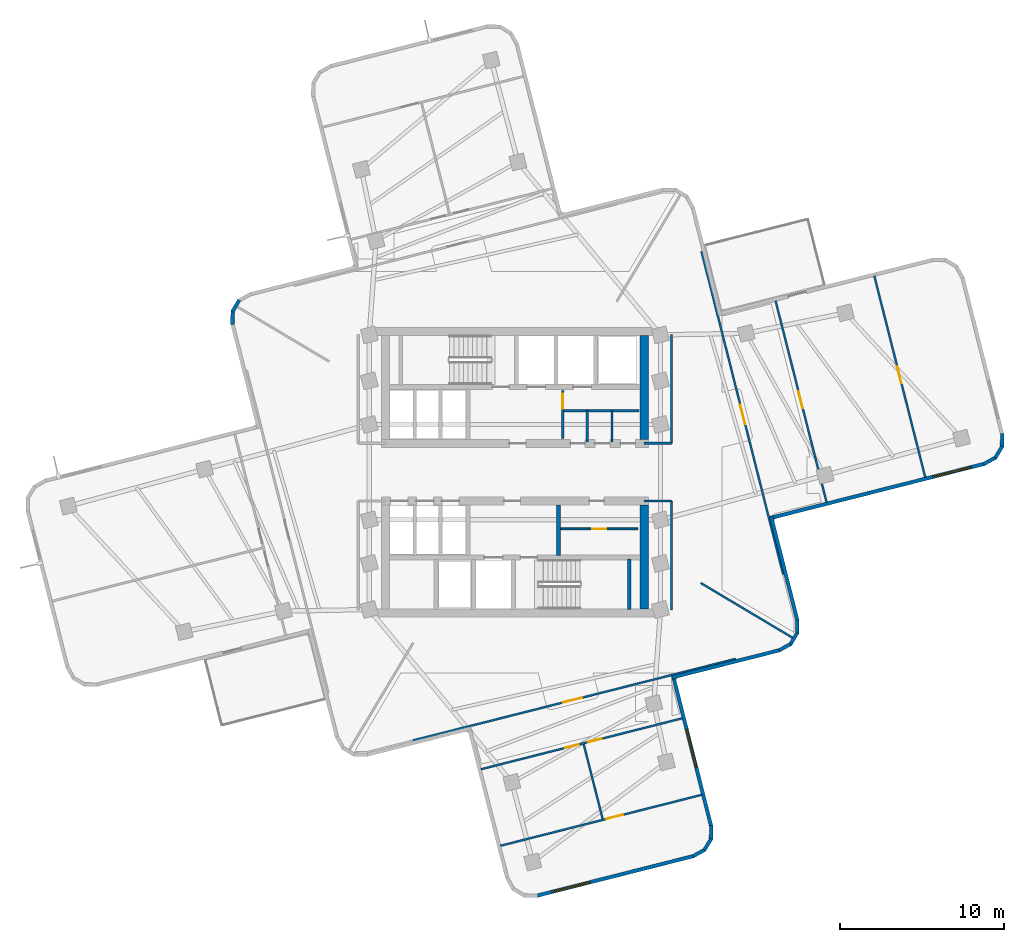
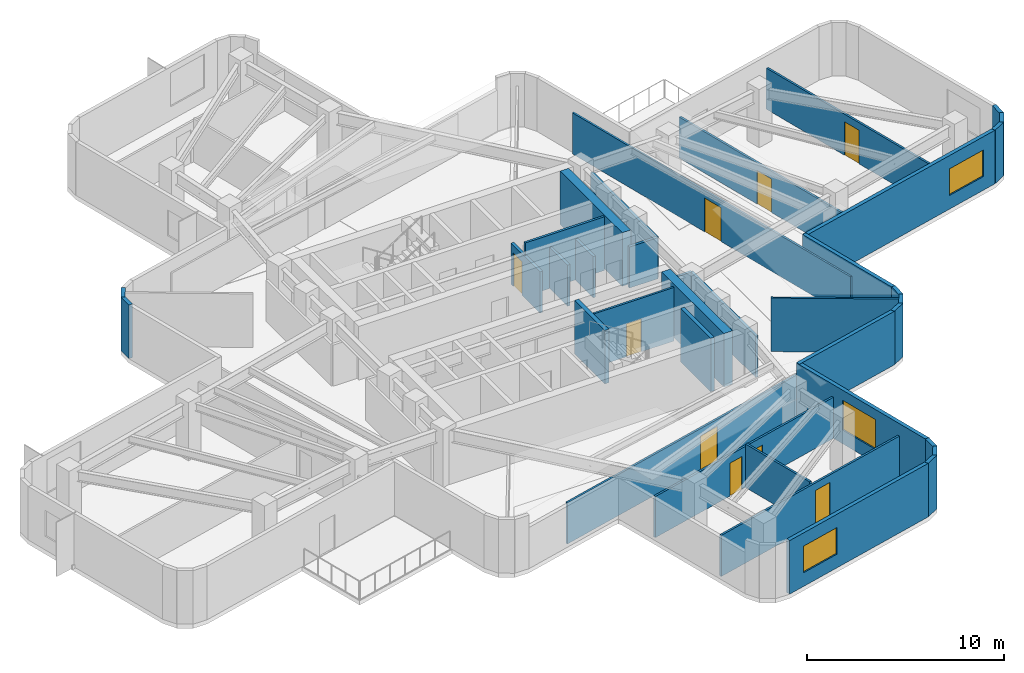
# One storey, part 4 of 9: 37 walls, 9 doors, 3 windows, 12 openings.
"""IFC4 building model written with IfcOpenShell, lengths in metres."""

import ifcopenshell
import ifcopenshell.guid

model = None  # the IFC model being written
_history = None  # IfcOwnerHistory: only IFC2X3 demands one
_inside = {}  # id of a spatial element -> (the spatial element, [elements in it])
_under = {}  # id of a project, library or spatial element -> (it, [spatial elements below it])
_declared = {}  # id of a project -> (the project, [libraries it declares])
_typed = {}  # id of a type object -> (the type object, [elements of that type])
_made_of = {}  # id of a material, layer set ... -> (it, [elements and type objects made of it])


def new_model(schema):
    """Start an empty IFC model of exactly this schema.

    Asked for "IFC4X3", IfcOpenShell would pick the latest addendum, in which some entities
    have other attributes; the version numbers below select the first issue.
    IFC2X3 requires an IfcOwnerHistory on every rooted entity: one is made here for all.
    """
    global model, _history
    if schema == "IFC4X3":
        model = ifcopenshell.file(schema_version=(4, 3, 0, 0))
    else:
        model = ifcopenshell.file(schema=schema)
    _inside.clear()
    _under.clear()
    _declared.clear()
    _typed.clear()
    _made_of.clear()
    _history = None
    if model.schema == "IFC2X3":
        org = make("IfcOrganization", Name="unknown")
        user = make(
            "IfcPersonAndOrganization",
            ThePerson=make("IfcPerson", FamilyName="unknown"),
            TheOrganization=org,
        )
        app = make(
            "IfcApplication",
            ApplicationDeveloper=org,
            Version="unknown",
            ApplicationFullName="unknown",
            ApplicationIdentifier="unknown",
        )
        _history = make(
            "IfcOwnerHistory",
            OwningUser=user,
            OwningApplication=app,
            ChangeAction="ADDED",
            CreationDate=0,
        )
    return model


def make(cls, **values):
    """One entity of the class cls with the attributes given. An attribute that is None is left unset."""
    return model.create_entity(
        cls, **{name: value for name, value in values.items() if value is not None}
    )


def rooted(cls, **values):
    """An entity with a GlobalId (a new one), such as an element, a storey or a relation."""
    return make(cls, GlobalId=ifcopenshell.guid.new(), OwnerHistory=_history, **values)


def si_unit(unit_type, name, prefix=None):
    """IfcSIUnit, for example si_unit("LENGTHUNIT", "METRE", prefix="MILLI")."""
    return make("IfcSIUnit", UnitType=unit_type, Prefix=prefix, Name=name)


def assignment(units):
    """IfcUnitAssignment: the units of a project."""
    return None if units is None else make("IfcUnitAssignment", Units=units)


def point(xyz):
    """IfcCartesianPoint."""
    return None if xyz is None else make("IfcCartesianPoint", Coordinates=xyz)


def direction(xyz):
    """IfcDirection."""
    return None if xyz is None else make("IfcDirection", DirectionRatios=xyz)


def frame(location, z_axis=None, x_axis=None):
    """IfcAxis2Placement3D, a coordinate frame: its origin and axes. An axis left out is left unset."""
    return make(
        "IfcAxis2Placement3D",
        Location=point(location),
        Axis=direction(z_axis),
        RefDirection=direction(x_axis),
    )


def frame_2d(location, x_axis=None):
    """IfcAxis2Placement2D, a coordinate frame in the plane: its origin and x axis."""
    return make(
        "IfcAxis2Placement2D", Location=point(location), RefDirection=direction(x_axis)
    )


def origin():
    """The frame at (0, 0, 0) with its axes left unset."""
    return frame((0.0, 0.0, 0.0))


def place(relative_to, where):
    """IfcLocalPlacement: puts the frame where relative to a parent placement (None: the world)."""
    return make(
        "IfcLocalPlacement", PlacementRelTo=relative_to, RelativePlacement=where
    )


def context(
    kind, dimensions, precision=None, world=None, true_north=None, identifier=None
):
    """IfcGeometricRepresentationContext, for example the 3D "Model" context."""
    return make(
        "IfcGeometricRepresentationContext",
        ContextIdentifier=identifier,
        ContextType=kind,
        CoordinateSpaceDimension=dimensions,
        Precision=precision,
        WorldCoordinateSystem=world,
        TrueNorth=true_north,
    )


def subcontext(parent, identifier, kind, view, scale=None):
    """IfcGeometricRepresentationSubContext, for example "Body" below "Model"."""
    return make(
        "IfcGeometricRepresentationSubContext",
        ContextIdentifier=identifier,
        ContextType=kind,
        ParentContext=parent,
        TargetScale=scale,
        TargetView=view,
    )


def project(units=None, contexts=None):
    """IfcProject with its units and contexts."""
    return rooted(
        "IfcProject",
        Name="project",
        RepresentationContexts=contexts,
        UnitsInContext=assignment(units),
    )


def spatial(cls, under=None, at=None, **own):
    """A site, building, storey or space (cls), placed at a placement, below another one or the project."""
    s = rooted(cls, ObjectPlacement=at, **own)
    if under is not None:
        _under.setdefault(under.id(), (under, []))[1].append(s)
    return s


def profile(cls, at=None, kind="AREA", **sizes):
    """A parametric profile (cls). Its sizes go by their IFC names, for example OverallWidth=200.0."""
    return make(cls, ProfileType=kind, Position=at, **sizes)


def rectangle(**sizes):
    """IfcRectangleProfileDef."""
    return profile("IfcRectangleProfileDef", **sizes)


def extrude(swept, where, along, depth):
    """IfcExtrudedAreaSolid: the profile swept, set in the frame where, extruded along a direction by depth."""
    return make(
        "IfcExtrudedAreaSolid",
        SweptArea=swept,
        Position=where,
        ExtrudedDirection=direction(along),
        Depth=depth,
    )


def shape(context_of_items, identifier, shape_type, items):
    """IfcShapeRepresentation: the items that make up one representation, for example the "Body"."""
    return make(
        "IfcShapeRepresentation",
        ContextOfItems=context_of_items,
        RepresentationIdentifier=identifier,
        RepresentationType=shape_type,
        Items=items,
    )


def material(Name=None, Category=None):
    """IfcMaterial."""
    return make("IfcMaterial", Name=Name, Category=Category)


def layer(
    of_material, thickness, ventilated=None, Name=None, Category=None, Priority=None
):
    """IfcMaterialLayer: one layer of a wall or slab, of a material (None: an air gap)."""
    return make(
        "IfcMaterialLayer",
        Material=of_material,
        LayerThickness=thickness,
        IsVentilated=ventilated,
        Name=Name,
        Category=Category,
        Priority=Priority,
    )


def layer_set(layers, Name=None):
    """IfcMaterialLayerSet."""
    return make("IfcMaterialLayerSet", MaterialLayers=layers, LayerSetName=Name)


def made_of(thing, what):
    """Note that an element or type object is made of a material, layer set ...; save() writes the relation."""
    if what is not None:
        _made_of.setdefault(what.id(), (what, []))[1].append(thing)
    return thing


def type_object(cls, material=None, **own):
    """A type object (cls), such as IfcWallType, which elements share."""
    return made_of(rooted(cls, **own), material)


def element(
    cls,
    number,
    at=None,
    inside=None,
    cuts=None,
    type_object=None,
    material=None,
    context=None,
    identifier="Body",
    shape_type=None,
    held_by="IfcProductDefinitionShape",
    body=None,
    shapes=None,
    **own,
):
    """One element of the class cls, such as IfcWall. Its Tag is "e" and its number.

    at: its placement. inside: the storey or other place that contains it. cuts: it is an
    opening in that element (IfcRelVoidsElement). A single representation is given by context,
    identifier, shape_type and body (its items); several are given by shapes. held_by: the class
    of the entity that holds the representations. save() writes the other relations.
    """
    e = rooted(cls, Tag="e%d" % number, ObjectPlacement=at, **own)
    if body is not None:
        shapes = [shape(context, identifier, shape_type, body)]
    if shapes is not None:
        e.Representation = make(held_by, Representations=shapes)
    if inside is not None:
        _inside.setdefault(inside.id(), (inside, []))[1].append(e)
    if cuts is not None:
        rooted(
            "IfcRelVoidsElement", RelatingBuildingElement=cuts, RelatedOpeningElement=e
        )
    if type_object is not None:
        _typed.setdefault(type_object.id(), (type_object, []))[1].append(e)
    return made_of(e, material)


def fill(opening, filler):
    """IfcRelFillsElement: the door or window that sits in an opening."""
    return rooted(
        "IfcRelFillsElement",
        RelatingOpeningElement=opening,
        RelatedBuildingElement=filler,
    )


def aggregate(whole, parts):
    """IfcRelAggregates: a whole, such as a stair, and the parts it consists of."""
    return rooted("IfcRelAggregates", RelatingObject=whole, RelatedObjects=parts)


def save(model, path):
    """Write the relations noted so far, then the file.

    IfcRelAggregates (storeys below a building ...), IfcRelContainedInSpatialStructure (elements
    in a storey), IfcRelDefinesByType, IfcRelAssociatesMaterial and IfcRelDeclares: one each for
    every whole, place, type object, material and project.
    """
    for whole, parts in _under.values():
        aggregate(whole, parts)
    for where, things in _inside.values():
        rooted(
            "IfcRelContainedInSpatialStructure",
            RelatedElements=things,
            RelatingStructure=where,
        )
    for kind, things in _typed.values():
        rooted("IfcRelDefinesByType", RelatedObjects=things, RelatingType=kind)
    for what, things in _made_of.values():
        rooted("IfcRelAssociatesMaterial", RelatedObjects=things, RelatingMaterial=what)
    for by, libraries in _declared.values():
        rooted("IfcRelDeclares", RelatingContext=by, RelatedDefinitions=libraries)
    model.write(path)


model = new_model("IFC4")

# Units and contexts
model_context = context("Model", 3, precision=1e-05, world=origin(), true_north=direction((0.0, 1.0)))
body_context = subcontext(model_context, "Body", "Model", "MODEL_VIEW")
ifc_project = project(units=[si_unit("LENGTHUNIT", "METRE"), si_unit("AREAUNIT", "SQUARE_METRE"), si_unit("VOLUMEUNIT", "CUBIC_METRE"), si_unit("PLANEANGLEUNIT", "RADIAN"), si_unit("MASSUNIT", "GRAM", prefix="KILO")], contexts=[model_context])

# Site, building, storey
site_placement = place(None, origin())
site = spatial("IfcSite", under=ifc_project, at=site_placement, CompositionType="ELEMENT")
building_placement = place(site_placement, origin())
building = spatial("IfcBuilding", under=site, at=building_placement, Name="Solmarez Civic Tower", CompositionType="ELEMENT")
storey_placement = place(building_placement, frame((0.0, 0.0, 130.679931640625)))
storey = spatial("IfcBuildingStorey", under=building, at=storey_placement, Name="L34", CompositionType="ELEMENT", Elevation=130.679931640625)

# Walls
ifc_material_1 = material(Name="Concrete C60/75", Category="concrete")
ifc_layer_1 = layer(ifc_material_1, 0.5)
ifc_layer_set_1 = layer_set([ifc_layer_1], Name="Concrete C60/75")
wall_type_1 = type_object("IfcWallType", Name="WALL-CORE-500", PredefinedType="SHEAR", material=ifc_layer_set_1)
for number, where, z_axis, x_axis, name in (
    (1, (7.8701171875, 8.31005859375, 0.0), (0.0, 0.0, 1.0), (0.0, -1.0, 0.0), "L34 Split-Core Structural Wall NCW-E-L34"),
    (2, (7.8701171875, -2.0, 0.0), (0.0, 0.0, 1.0), (0.0, -1.0, 0.0), "L34 Split-Core Structural Wall SCW-E-L34"),
):
    element("IfcWall", number, at=place(storey_placement, frame(where, z_axis=z_axis, x_axis=x_axis)), inside=storey, type_object=wall_type_1, Name=name, PredefinedType="SHEAR", context=body_context, shape_type="SweptSolid", body=[
        extrude(rectangle(XDim=6.31005859375, YDim=0.5, at=frame_2d((3.155029296875, 0.0))), origin(), (0.0, 0.0, 1.0), 3.320068359375),
    ])
ifc_material_2 = material(Name="Precast concrete C40/50", Category="concrete")
ifc_layer_2 = layer(ifc_material_2, 0.219970703125)
ifc_layer_set_2 = layer_set([ifc_layer_2], Name="Precast concrete C40/50")
wall_type_2 = type_object("IfcWallType", Name="WALL-EXT-220", PredefinedType="SOLIDWALL", material=ifc_layer_set_2)
wall_1_placement = place(storey_placement, frame((-17.172119140625, 8.972900390625, 0.0), z_axis=(0.0, 0.0, 1.0), x_axis=(0.013464821393, 0.999909345183, 0.0)))
element("IfcWall", 3, at=wall_1_placement, inside=storey, type_object=wall_type_2, Name="L34 Exterior Precast Wall 14", PredefinedType="SOLIDWALL", context=body_context, shape_type="SweptSolid", body=[
    extrude(rectangle(XDim=0.833984375, YDim=0.219970703125, at=frame_2d((0.4169921875, 0.0))), origin(), (0.0, 0.0, 1.0), 3.320068359375),
])
wall_2_placement = place(storey_placement, frame((-17.174072265625, 9.760986328125, 0.0), z_axis=(0.0, 0.0, 1.0), x_axis=(0.512960801038, 0.858412031951, 0.0)))
element("IfcWall", 4, at=wall_2_placement, inside=storey, type_object=wall_type_2, Name="L34 Exterior Precast Wall 15", PredefinedType="SOLIDWALL", context=body_context, shape_type="SweptSolid", body=[
    extrude(rectangle(XDim=0.819091796875, YDim=0.219970703125, at=frame_2d((0.40966796875, 0.0))), origin(), (0.0, 0.0, 1.0), 3.320068359375),
])
wall_3_placement = place(storey_placement, frame((29.623046875, 2.35693359375, 0.0), z_axis=(0.0, 0.0, 1.0), x_axis=(-0.013172159236, -0.999913243347, 0.0)))
element("IfcWall", 5, at=wall_3_placement, inside=storey, type_object=wall_type_2, Name="L34 Exterior Precast Wall 43", PredefinedType="SOLIDWALL", context=body_context, shape_type="SweptSolid", body=[
    extrude(rectangle(XDim=0.833984375, YDim=0.219970703125, at=frame_2d((0.4169921875, 0.0))), origin(), (0.0, 0.0, 1.0), 3.320068359375),
])
wall_4_placement = place(storey_placement, frame((29.625, 1.569091796875, 0.0), z_axis=(0.0, 0.0, 1.0), x_axis=(-0.513266477087, -0.858229295409, 0.0)))
element("IfcWall", 6, at=wall_4_placement, inside=storey, type_object=wall_type_2, Name="L34 Exterior Precast Wall 44", PredefinedType="SOLIDWALL", context=body_context, shape_type="SweptSolid", body=[
    extrude(rectangle(XDim=0.818115234375, YDim=0.219970703125, at=frame_2d((0.4091796875, 0.0))), origin(), (0.0, 0.0, 1.0), 3.320068359375),
])
wall_5_placement = place(storey_placement, frame((29.239990234375, 0.89990234375, 0.0), z_axis=(0.0, 0.0, 1.0), x_axis=(-0.873148499647, -0.487454303052, 0.0)))
element("IfcWall", 7, at=wall_5_placement, inside=storey, type_object=wall_type_2, Name="L34 Exterior Precast Wall 45", PredefinedType="SOLIDWALL", context=body_context, shape_type="SweptSolid", body=[
    extrude(rectangle(XDim=0.8349609375, YDim=0.219970703125, at=frame_2d((0.41748046875, 0.0))), origin(), (0.0, 0.0, 1.0), 3.320068359375),
])

# Wall, opening, window
wall_6_placement = place(storey_placement, frame((28.556884765625, 0.510986328125, 0.0), z_axis=(0.0, 0.0, 1.0), x_axis=(-0.969429758912, -0.245368992613, 0.0)))
wall_6 = element("IfcWall", 8, at=wall_6_placement, inside=storey, type_object=wall_type_2, Name="L34 Exterior Precast Wall 46", PredefinedType="SOLIDWALL", context=body_context, shape_type="SweptSolid", body=[
    extrude(rectangle(XDim=13.457275390625, YDim=0.219970703125, at=frame_2d((6.728515625, 0.0))), origin(), (0.0, 0.0, 1.0), 3.320068359375),
])
opening_1_placement = place(wall_6_placement, frame((0.85009765625, 0.0, 0.85009765625)))
opening_1 = element("IfcOpeningElement", 9, at=opening_1_placement, cuts=wall_6, Name="Opening W-10", PredefinedType="OPENING", context=body_context, shape_type="SweptSolid", body=[
    extrude(rectangle(XDim=2.39990234375, YDim=1.64990234375, at=frame_2d((1.199951171875, 0.824951171875))), frame((0.0, 0.119873046875, 0.0), z_axis=(0.0, -1.0, 0.0), x_axis=(1.0, 0.0, 0.0)), (0.0, 0.0, 1.0), 0.239990234375),
])
ifc_material_3 = material(Name="Solar Control Bronze-Tinted Insulating Glass", Category="glass")
window_type_1 = type_object("IfcWindowType", Name="WIN-2400X1650", PartitioningType="SINGLE_PANEL", PredefinedType="WINDOW", material=ifc_material_3)
window_1_placement = place(opening_1_placement, origin())
window_1 = element("IfcWindow", 10, at=window_1_placement, inside=storey, type_object=window_type_1, Name="L34 Exterior Facade Window 46", OverallHeight=1.64990234375, OverallWidth=2.39990234375, PartitioningType="SINGLE_PANEL", PredefinedType="WINDOW", context=body_context, shape_type="SweptSolid", body=[
    extrude(rectangle(XDim=2.39990234375, YDim=1.64990234375, at=frame_2d((1.199951171875, 0.824951171875))), frame((0.0, 0.030029296875, 0.0), z_axis=(0.0, -1.0, 0.0), x_axis=(1.0, 0.0, 0.0)), (0.0, 0.0, 1.0), 0.06005859375),
])
fill(opening_1, window_1)

# Walls
wall_7_placement = place(storey_placement, frame((15.573974609375, -2.68408203125, 0.0), z_axis=(0.0, 0.0, 1.0), x_axis=(0.245346347134, -0.969435490349, 0.0)))
element("IfcWall", 11, at=wall_7_placement, inside=storey, type_object=wall_type_2, Name="L34 Exterior Precast Wall 49", PredefinedType="SOLIDWALL", context=body_context, shape_type="SweptSolid", body=[
    extrude(rectangle(XDim=6.53759765625, YDim=0.219970703125, at=frame_2d((3.268798828125, 0.0))), origin(), (0.0, 0.0, 1.0), 3.320068359375),
])
wall_8_placement = place(storey_placement, frame((17.172119140625, -8.972900390625, 0.0), z_axis=(0.0, 0.0, 1.0), x_axis=(-0.013464821393, -0.999909345183, 0.0)))
element("IfcWall", 12, at=wall_8_placement, inside=storey, type_object=wall_type_2, Name="L34 Exterior Precast Wall 50", PredefinedType="SOLIDWALL", context=body_context, shape_type="SweptSolid", body=[
    extrude(rectangle(XDim=0.833984375, YDim=0.219970703125, at=frame_2d((0.4169921875, 0.0))), origin(), (0.0, 0.0, 1.0), 3.320068359375),
])
wall_9_placement = place(storey_placement, frame((17.174072265625, -9.760986328125, 0.0), z_axis=(0.0, 0.0, 1.0), x_axis=(-0.512960801038, -0.858412031951, 0.0)))
element("IfcWall", 13, at=wall_9_placement, inside=storey, type_object=wall_type_2, Name="L34 Exterior Precast Wall 51", PredefinedType="SOLIDWALL", context=body_context, shape_type="SweptSolid", body=[
    extrude(rectangle(XDim=0.819091796875, YDim=0.219970703125, at=frame_2d((0.40966796875, 0.0))), origin(), (0.0, 0.0, 1.0), 3.320068359375),
])
wall_10_placement = place(storey_placement, frame((16.7890625, -10.430908203125, 0.0), z_axis=(0.0, 0.0, 1.0), x_axis=(-0.872870149311, -0.487952561671, 0.0)))
element("IfcWall", 14, at=wall_10_placement, inside=storey, type_object=wall_type_2, Name="L34 Exterior Precast Wall 52", PredefinedType="SOLIDWALL", context=body_context, shape_type="SweptSolid", body=[
    extrude(rectangle(XDim=0.833984375, YDim=0.219970703125, at=frame_2d((0.4169921875, 0.0))), origin(), (0.0, 0.0, 1.0), 3.320068359375),
])
wall_11_placement = place(storey_placement, frame((16.10693359375, -10.820068359375, 0.0), z_axis=(0.0, 0.0, 1.0), x_axis=(-0.969443674581, -0.245314006561, 0.0)))
element("IfcWall", 15, at=wall_11_placement, inside=storey, type_object=wall_type_2, Name="L34 Exterior Precast Wall 53", PredefinedType="SOLIDWALL", context=body_context, shape_type="SweptSolid", body=[
    extrude(rectangle(XDim=6.758544921875, YDim=0.219970703125, at=frame_2d((3.37939453125, 0.0))), origin(), (0.0, 0.0, 1.0), 3.320068359375),
])

# Wall, opening, window
wall_12_placement = place(storey_placement, frame((9.617919921875, -12.37109375, 0.0), z_axis=(0.0, 0.0, 1.0), x_axis=(0.245401293719, -0.969421582719, 0.0)))
wall_12 = element("IfcWall", 16, at=wall_12_placement, inside=storey, type_object=wall_type_2, Name="L34 Exterior Precast Wall 56", PredefinedType="SOLIDWALL", context=body_context, shape_type="SweptSolid", body=[
    extrude(rectangle(XDim=9.458251953125, YDim=0.219970703125, at=frame_2d((4.72900390625, 0.0))), origin(), (0.0, 0.0, 1.0), 3.320068359375),
])
opening_2_placement = place(wall_12_placement, frame((3.35009765625, 0.0, 0.85009765625)))
opening_2 = element("IfcOpeningElement", 17, at=opening_2_placement, cuts=wall_12, Name="Opening W-06", PredefinedType="OPENING", context=body_context, shape_type="SweptSolid", body=[
    extrude(rectangle(XDim=2.39990234375, YDim=1.85009765625, at=frame_2d((1.199951171875, 0.925048828125))), frame((0.0, 0.119873046875, 0.0), z_axis=(0.0, -1.0, 0.0), x_axis=(1.0, 0.0, 0.0)), (0.0, 0.0, 1.0), 0.239990234375),
])
window_type_2 = type_object("IfcWindowType", Name="WIN-2400X1850", PartitioningType="SINGLE_PANEL", PredefinedType="WINDOW", material=ifc_material_3)
window_2_placement = place(opening_2_placement, origin())
window_2 = element("IfcWindow", 18, at=window_2_placement, inside=storey, type_object=window_type_2, Name="L34 Exterior Facade Window 56", OverallHeight=1.85009765625, OverallWidth=2.39990234375, PartitioningType="SINGLE_PANEL", PredefinedType="WINDOW", context=body_context, shape_type="SweptSolid", body=[
    extrude(rectangle(XDim=2.39990234375, YDim=1.85009765625, at=frame_2d((1.199951171875, 0.925048828125))), frame((0.0, 0.030029296875, 0.0), z_axis=(0.0, -1.0, 0.0), x_axis=(1.0, 0.0, 0.0)), (0.0, 0.0, 1.0), 0.06005859375),
])
fill(opening_2, window_2)

# Walls
wall_13_placement = place(storey_placement, frame((11.93310546875, -21.490966796875, 0.0), z_axis=(0.0, 0.0, 1.0), x_axis=(-0.013172159236, -0.999913243347, 0.0)))
element("IfcWall", 19, at=wall_13_placement, inside=storey, type_object=wall_type_2, Name="L34 Exterior Precast Wall 57", PredefinedType="SOLIDWALL", context=body_context, shape_type="SweptSolid", body=[
    extrude(rectangle(XDim=0.833984375, YDim=0.219970703125, at=frame_2d((0.4169921875, 0.0))), origin(), (0.0, 0.0, 1.0), 3.320068359375),
])
wall_14_placement = place(storey_placement, frame((11.93505859375, -22.279052734375, 0.0), z_axis=(0.0, 0.0, 1.0), x_axis=(-0.513092073782, -0.858333573747, 0.0)))
element("IfcWall", 20, at=wall_14_placement, inside=storey, type_object=wall_type_2, Name="L34 Exterior Precast Wall 58", PredefinedType="SOLIDWALL", context=body_context, shape_type="SweptSolid", body=[
    extrude(rectangle(XDim=0.81884765625, YDim=0.219970703125, at=frame_2d((0.409423828125, 0.0))), origin(), (0.0, 0.0, 1.0), 3.320068359375),
])
wall_15_placement = place(storey_placement, frame((11.550048828125, -22.948974609375, 0.0), z_axis=(0.0, 0.0, 1.0), x_axis=(-0.873646156661, -0.486561807946, 0.0)))
element("IfcWall", 21, at=wall_15_placement, inside=storey, type_object=wall_type_2, Name="L34 Exterior Precast Wall 59", PredefinedType="SOLIDWALL", context=body_context, shape_type="SweptSolid", body=[
    extrude(rectangle(XDim=0.83447265625, YDim=0.219970703125, at=frame_2d((0.417236328125, 0.0))), origin(), (0.0, 0.0, 1.0), 3.320068359375),
])

# Wall, opening, window
wall_16_placement = place(storey_placement, frame((10.866943359375, -23.3369140625, 0.0), z_axis=(0.0, 0.0, 1.0), x_axis=(-0.96944386365, -0.245313259386, 0.0)))
wall_16 = element("IfcWall", 22, at=wall_16_placement, inside=storey, type_object=wall_type_2, Name="L34 Exterior Precast Wall 60", PredefinedType="SOLIDWALL", context=body_context, shape_type="SweptSolid", body=[
    extrude(rectangle(XDim=9.8408203125, YDim=0.219970703125, at=frame_2d((4.92041015625, 0.0))), origin(), (0.0, 0.0, 1.0), 3.320068359375),
])
opening_3_placement = place(wall_16_placement, frame((6.47607421875, 0.0, 0.85009765625)))
opening_3 = element("IfcOpeningElement", 23, at=opening_3_placement, cuts=wall_16, Name="Opening W-10", PredefinedType="OPENING", context=body_context, shape_type="SweptSolid", body=[
    extrude(rectangle(XDim=2.39990234375, YDim=1.64990234375, at=frame_2d((1.199951171875, 0.824951171875))), frame((0.0, 0.119873046875, 0.0), z_axis=(0.0, -1.0, 0.0), x_axis=(1.0, 0.0, 0.0)), (0.0, 0.0, 1.0), 0.239990234375),
])
window_3_placement = place(opening_3_placement, origin())
window_3 = element("IfcWindow", 24, at=window_3_placement, inside=storey, type_object=window_type_1, Name="L34 Exterior Facade Window 60", OverallHeight=1.64990234375, OverallWidth=2.39990234375, PartitioningType="SINGLE_PANEL", PredefinedType="WINDOW", context=body_context, shape_type="SweptSolid", body=[
    extrude(rectangle(XDim=2.39990234375, YDim=1.64990234375, at=frame_2d((1.199951171875, 0.824951171875))), frame((0.0, 0.030029296875, 0.0), z_axis=(0.0, -1.0, 0.0), x_axis=(1.0, 0.0, 0.0)), (0.0, 0.0, 1.0), 0.06005859375),
])
fill(opening_3, window_3)

# Walls
ifc_material_4 = material(Name="Gypsum Board Acoustic Steel-Stud Partition", Category="steel")
ifc_layer_3 = layer(ifc_material_4, 0.14990234375)
ifc_layer_set_3 = layer_set([ifc_layer_3], Name="Gypsum Board Acoustic Steel-Stud Partition")
wall_type_3 = type_object("IfcWallType", Name="WALL-INT-FIRE-150", PredefinedType="PARTITIONING", material=ifc_layer_set_3)
wall_17_placement = place(storey_placement, frame((9.52001953125, 1.75, 0.0), z_axis=(0.0, 0.0, 1.0), x_axis=(0.0, 1.0, 0.0)))
element("IfcWall", 25, at=wall_17_placement, inside=storey, type_object=wall_type_3, Name="L34 Interior Partition CHW-L34-EN1", PredefinedType="PARTITIONING", context=body_context, shape_type="SweptSolid", body=[
    extrude(rectangle(XDim=6.6298828125, YDim=0.14990234375, at=frame_2d((3.31494140625, 0.0))), origin(), (0.0, 0.0, 1.0), 2.550048828125),
])
wall_18_placement = place(storey_placement, frame((7.85009765625, 1.75, 0.0), z_axis=(0.0, 0.0, 1.0), x_axis=(1.0, 0.0, 0.0)))
element("IfcWall", 26, at=wall_18_placement, inside=storey, type_object=wall_type_3, Name="L34 Interior Partition CHW-L34-EN3", PredefinedType="PARTITIONING", context=body_context, shape_type="SweptSolid", body=[
    extrude(rectangle(XDim=1.669921875, YDim=0.14990234375, at=frame_2d((0.8349609375, 0.0))), origin(), (0.0, 0.0, 1.0), 2.550048828125),
])
wall_19_placement = place(storey_placement, frame((9.52001953125, -8.3798828125, 0.0), z_axis=(0.0, 0.0, 1.0), x_axis=(0.0, 1.0, 0.0)))
element("IfcWall", 27, at=wall_19_placement, inside=storey, type_object=wall_type_3, Name="L34 Interior Partition CHW-L34-ES1", PredefinedType="PARTITIONING", context=body_context, shape_type="SweptSolid", body=[
    extrude(rectangle(XDim=6.6298828125, YDim=0.14990234375, at=frame_2d((3.31494140625, 0.0))), origin(), (0.0, 0.0, 1.0), 2.550048828125),
])
wall_20_placement = place(storey_placement, frame((7.85009765625, -1.75, 0.0), z_axis=(0.0, 0.0, 1.0), x_axis=(1.0, 0.0, 0.0)))
element("IfcWall", 28, at=wall_20_placement, inside=storey, type_object=wall_type_3, Name="L34 Interior Partition CHW-L34-ES3", PredefinedType="PARTITIONING", context=body_context, shape_type="SweptSolid", body=[
    extrude(rectangle(XDim=1.669921875, YDim=0.14990234375, at=frame_2d((0.8349609375, 0.0))), origin(), (0.0, 0.0, 1.0), 2.550048828125),
])

# Wall, opening, door
ifc_layer_4 = layer(ifc_material_4, 0.1201171875)
ifc_layer_set_4 = layer_set([ifc_layer_4], Name="Gypsum Board Acoustic Steel-Stud Partition")
wall_type_4 = type_object("IfcWallType", Name="WALL-INT-PART-120", PredefinedType="PARTITIONING", material=ifc_layer_set_4)
wall_21_placement = place(storey_placement, frame((2.800048828125, -3.449951171875, 0.0), z_axis=(0.0, 0.0, 1.0), x_axis=(1.0, 0.0, 0.0)))
wall_21 = element("IfcWall", 29, at=wall_21_placement, inside=storey, type_object=wall_type_4, Name="L34 Interior Partition PT-FPLL-L34", PredefinedType="PARTITIONING", context=body_context, shape_type="SweptSolid", body=[
    extrude(rectangle(XDim=4.679931640625, YDim=0.1201171875, at=frame_2d((2.33984375, 0.0))), origin(), (0.0, 0.0, 1.0), 3.320068359375),
])
opening_4_placement = place(wall_21_placement, frame((1.89990234375, 0.0, 0.0)))
opening_4 = element("IfcOpeningElement", 30, at=opening_4_placement, cuts=wall_21, Name="Opening D-14", PredefinedType="OPENING", context=body_context, shape_type="SweptSolid", body=[
    extrude(rectangle(XDim=0.860107421875, YDim=2.0400390625, at=frame_2d((0.43017578125, 1.02001953125))), frame((0.0, 0.070068359375, 0.0), z_axis=(0.0, -1.0, 0.0), x_axis=(1.0, 0.0, 0.0)), (0.0, 0.0, 1.0), 0.14013671875),
])
ifc_material_5 = material(Name="Timber Storage and Pantry Door", Category="wood")
door_type_1 = type_object("IfcDoorType", Name="DOOR-INT-850", OperationType="NOTDEFINED", PredefinedType="DOOR", material=ifc_material_5)
door_1_placement = place(opening_4_placement, origin())
door_1 = element("IfcDoor", 31, at=door_1_placement, inside=storey, type_object=door_type_1, Name="L34 Records Filing Room Door", OperationType="SINGLE_SWING_LEFT", OverallHeight=2.0400390625, OverallWidth=0.860107421875, PredefinedType="DOOR", context=body_context, shape_type="SweptSolid", body=[
    extrude(rectangle(XDim=0.860107421875, YDim=2.0400390625, at=frame_2d((0.43017578125, 1.02001953125))), frame((0.0, 0.02490234375, 0.0), z_axis=(0.0, -1.0, 0.0), x_axis=(1.0, 0.0, 0.0)), (0.0, 0.0, 1.0), 0.050048828125),
])
fill(opening_4, door_1)

# Wall
wall_22_placement = place(storey_placement, frame((11.300048828125, -6.736083984375, 0.0), z_axis=(0.0, 0.0, 1.0), x_axis=(0.858979599017, -0.512009812868, 0.0)))
element("IfcWall", 32, at=wall_22_placement, inside=storey, type_object=wall_type_4, Name="L34 Interior Partition PT-L34-QDIV-4", PredefinedType="PARTITIONING", context=body_context, shape_type="SweptSolid", body=[
    extrude(rectangle(XDim=6.519287109375, YDim=0.1201171875, at=frame_2d((3.259765625, 0.0))), origin(), (0.0, 0.0, 1.0), 3.320068359375),
])

# Wall, opening, door
wall_23_placement = place(storey_placement, frame((11.342041015625, 13.43310546875, 0.0), z_axis=(0.0, 0.0, 1.0), x_axis=(0.24525085526, -0.969459652587, 0.0)))
wall_23 = element("IfcWall", 33, at=wall_23_placement, inside=storey, type_object=wall_type_4, Name="L34 Interior Partition PT-L34-E-ENT", PredefinedType="PARTITIONING", context=body_context, shape_type="SweptSolid", body=[
    extrude(rectangle(XDim=20.2607421875, YDim=0.1201171875, at=frame_2d((10.13037109375, 0.0))), origin(), (0.0, 0.0, 1.0), 2.550048828125),
])
opening_5_placement = place(wall_23_placement, frame((9.639892578125, 0.0, 0.0)))
opening_5 = element("IfcOpeningElement", 34, at=opening_5_placement, cuts=wall_23, Name="Opening D-11", PredefinedType="OPENING", context=body_context, shape_type="SweptSolid", body=[
    extrude(rectangle(XDim=1.199951171875, YDim=2.10009765625, at=frame_2d((0.60009765625, 1.050048828125))), frame((0.0, 0.070068359375, 0.0), z_axis=(0.0, -1.0, 0.0), x_axis=(1.0, 0.0, 0.0)), (0.0, 0.0, 1.0), 0.14013671875),
])
ifc_material_6 = material(Name="Glazed-Vision Acoustic Chamber Door", Category="wood")
door_type_2 = type_object("IfcDoorType", Name="DOOR-INT-1200", OperationType="NOTDEFINED", PredefinedType="DOOR", material=ifc_material_6)
door_2_placement = place(opening_5_placement, origin())
door_2 = element("IfcDoor", 35, at=door_2_placement, inside=storey, type_object=door_type_2, Name="L34 Maritime Registry Ministry Open Workspace First East Door", OperationType="SINGLE_SWING_LEFT", OverallHeight=2.10009765625, OverallWidth=1.199951171875, PredefinedType="DOOR", context=body_context, shape_type="SweptSolid", body=[
    extrude(rectangle(XDim=1.199951171875, YDim=2.10009765625, at=frame_2d((0.60009765625, 1.050048828125))), frame((0.0, 0.02490234375, 0.0), z_axis=(0.0, -1.0, 0.0), x_axis=(1.0, 0.0, 0.0)), (0.0, 0.0, 1.0), 0.050048828125),
])
fill(opening_5, door_2)

wall_24_placement = place(storey_placement, frame((15.847900390625, 10.4208984375, 0.0), z_axis=(0.0, 0.0, 1.0), x_axis=(0.24530936383, -0.969444849394, 0.0)))
wall_24 = element("IfcWall", 36, at=wall_24_placement, inside=storey, type_object=wall_type_4, Name="L34 Interior Partition PT-L34-E-SC1", PredefinedType="PARTITIONING", context=body_context, shape_type="SweptSolid", body=[
    extrude(rectangle(XDim=12.6494140625, YDim=0.1201171875, at=frame_2d((6.32470703125, 0.0))), origin(), (0.0, 0.0, 1.0), 2.550048828125),
])
opening_6_placement = place(wall_24_placement, frame((5.68994140625, 0.0, 0.0)))
opening_6 = element("IfcOpeningElement", 37, at=opening_6_placement, cuts=wall_24, Name="Opening D-13", PredefinedType="OPENING", context=body_context, shape_type="SweptSolid", body=[
    extrude(rectangle(XDim=1.050048828125, YDim=2.080078125, at=frame_2d((0.52490234375, 1.0400390625))), frame((0.0, 0.070068359375, 0.0), z_axis=(0.0, -1.0, 0.0), x_axis=(1.0, 0.0, 0.0)), (0.0, 0.0, 1.0), 0.14013671875),
])
ifc_material_7 = material(Name="Timber Directorate Office Door", Category="wood")
door_type_3 = type_object("IfcDoorType", Name="DOOR-INT-1050", OperationType="NOTDEFINED", PredefinedType="DOOR", material=ifc_material_7)
door_3_placement = place(opening_6_placement, origin())
door_3 = element("IfcDoor", 38, at=door_3_placement, inside=storey, type_object=door_type_3, Name="L34 Directorate Office East Door", OperationType="SINGLE_SWING_LEFT", OverallHeight=2.080078125, OverallWidth=1.050048828125, PredefinedType="DOOR", context=body_context, shape_type="SweptSolid", body=[
    extrude(rectangle(XDim=1.050048828125, YDim=2.080078125, at=frame_2d((0.52490234375, 1.0400390625))), frame((0.0, 0.02490234375, 0.0), z_axis=(0.0, -1.0, 0.0), x_axis=(1.0, 0.0, 0.0)), (0.0, 0.0, 1.0), 0.050048828125),
])
fill(opening_6, door_3)

wall_25_placement = place(storey_placement, frame((21.84912109375, 11.93994140625, 0.0), z_axis=(0.0, 0.0, 1.0), x_axis=(0.245272867445, -0.969454083748, 0.0)))
wall_25 = element("IfcWall", 39, at=wall_25_placement, inside=storey, type_object=wall_type_4, Name="L34 Interior Partition PT-L34-E-SC2", PredefinedType="PARTITIONING", context=body_context, shape_type="SweptSolid", body=[
    extrude(rectangle(XDim=12.650390625, YDim=0.1201171875, at=frame_2d((6.3251953125, 0.0))), origin(), (0.0, 0.0, 1.0), 2.550048828125),
])
opening_7_placement = place(wall_25_placement, frame((5.68994140625, 0.0, 0.0)))
opening_7 = element("IfcOpeningElement", 40, at=opening_7_placement, cuts=wall_25, Name="Opening D-13", PredefinedType="OPENING", context=body_context, shape_type="SweptSolid", body=[
    extrude(rectangle(XDim=1.050048828125, YDim=2.080078125, at=frame_2d((0.52490234375, 1.0400390625))), frame((0.0, 0.070068359375, 0.0), z_axis=(0.0, -1.0, 0.0), x_axis=(1.0, 0.0, 0.0)), (0.0, 0.0, 1.0), 0.14013671875),
])
door_4_placement = place(opening_7_placement, origin())
door_4 = element("IfcDoor", 41, at=door_4_placement, inside=storey, type_object=door_type_3, Name="L34 Staff Pantry East Door", OperationType="SINGLE_SWING_RIGHT", OverallHeight=2.080078125, OverallWidth=1.050048828125, PredefinedType="DOOR", context=body_context, shape_type="SweptSolid", body=[
    extrude(rectangle(XDim=1.050048828125, YDim=2.080078125, at=frame_2d((0.52490234375, 1.0400390625))), frame((0.0, 0.02490234375, 0.0), z_axis=(0.0, -1.0, 0.0), x_axis=(1.0, 0.0, 0.0)), (0.0, 0.0, 1.0), 0.050048828125),
])
fill(opening_7, door_4)

wall_26_placement = place(storey_placement, frame((13.43310546875, -11.342041015625, 0.0), z_axis=(0.0, 0.0, 1.0), x_axis=(-0.969459652587, -0.24525085526, 0.0)))
wall_26 = element("IfcWall", 42, at=wall_26_placement, inside=storey, type_object=wall_type_4, Name="L34 Interior Partition PT-L34-S-ENT", PredefinedType="PARTITIONING", context=body_context, shape_type="SweptSolid", body=[
    extrude(rectangle(XDim=20.2607421875, YDim=0.1201171875, at=frame_2d((10.13037109375, 0.0))), origin(), (0.0, 0.0, 1.0), 2.550048828125),
])
opening_8_placement = place(wall_26_placement, frame((9.639892578125, 0.0, 0.0)))
opening_8 = element("IfcOpeningElement", 43, at=opening_8_placement, cuts=wall_26, Name="Opening D-11", PredefinedType="OPENING", context=body_context, shape_type="SweptSolid", body=[
    extrude(rectangle(XDim=1.199951171875, YDim=2.10009765625, at=frame_2d((0.60009765625, 1.050048828125))), frame((0.0, 0.070068359375, 0.0), z_axis=(0.0, -1.0, 0.0), x_axis=(1.0, 0.0, 0.0)), (0.0, 0.0, 1.0), 0.14013671875),
])
door_5_placement = place(opening_8_placement, origin())
door_5 = element("IfcDoor", 44, at=door_5_placement, inside=storey, type_object=door_type_2, Name="L34 Staff Pantry First South Door", OperationType="SINGLE_SWING_LEFT", OverallHeight=2.10009765625, OverallWidth=1.199951171875, PredefinedType="DOOR", context=body_context, shape_type="SweptSolid", body=[
    extrude(rectangle(XDim=1.199951171875, YDim=2.10009765625, at=frame_2d((0.60009765625, 1.050048828125))), frame((0.0, 0.02490234375, 0.0), z_axis=(0.0, -1.0, 0.0), x_axis=(1.0, 0.0, 0.0)), (0.0, 0.0, 1.0), 0.050048828125),
])
fill(opening_8, door_5)

# Wall
wall_27_placement = place(storey_placement, frame((4.18505859375, -16.5390625, 0.0), z_axis=(0.0, 0.0, 1.0), x_axis=(0.245296506438, -0.969448102752, 0.0)))
element("IfcWall", 45, at=wall_27_placement, inside=storey, type_object=wall_type_4, Name="L34 Interior Partition PT-L34-S-MM", PredefinedType="PARTITIONING", context=body_context, shape_type="SweptSolid", body=[
    extrude(rectangle(XDim=4.679931640625, YDim=0.1201171875, at=frame_2d((2.33984375, 0.0))), origin(), (0.0, 0.0, 1.0), 2.699951171875),
])

# Wall, openings, doors
wall_28_placement = place(storey_placement, frame((-2.068115234375, -18.05908203125, 0.0), z_axis=(0.0, 0.0, 1.0), x_axis=(0.969446010802, 0.245304773986, 0.0)))
wall_28 = element("IfcWall", 46, at=wall_28_placement, inside=storey, type_object=wall_type_4, Name="L34 Interior Partition PT-L34-S-S1", PredefinedType="PARTITIONING", context=body_context, shape_type="SweptSolid", body=[
    extrude(rectangle(XDim=12.649658203125, YDim=0.1201171875, at=frame_2d((6.32470703125, 0.0))), origin(), (0.0, 0.0, 1.0), 2.550048828125),
])
opening_9_placement = place(wall_28_placement, frame((5.284912109375, 0.0, 0.0)))
opening_9 = element("IfcOpeningElement", 47, at=opening_9_placement, cuts=wall_28, Name="Opening D-14", PredefinedType="OPENING", context=body_context, shape_type="SweptSolid", body=[
    extrude(rectangle(XDim=0.860107421875, YDim=2.0400390625, at=frame_2d((0.43017578125, 1.02001953125))), frame((0.0, 0.070068359375, 0.0), z_axis=(0.0, -1.0, 0.0), x_axis=(1.0, 0.0, 0.0)), (0.0, 0.0, 1.0), 0.14013671875),
])
opening_10_placement = place(wall_28_placement, frame((6.72509765625, 0.0, 0.0)))
opening_10 = element("IfcOpeningElement", 48, at=opening_10_placement, cuts=wall_28, Name="Opening D-14", PredefinedType="OPENING", context=body_context, shape_type="SweptSolid", body=[
    extrude(rectangle(XDim=0.860107421875, YDim=2.0400390625, at=frame_2d((0.43017578125, 1.02001953125))), frame((0.0, 0.070068359375, 0.0), z_axis=(0.0, -1.0, 0.0), x_axis=(1.0, 0.0, 0.0)), (0.0, 0.0, 1.0), 0.14013671875),
])
door_6_placement = place(opening_9_placement, origin())
door_6 = element("IfcDoor", 49, at=door_6_placement, inside=storey, type_object=door_type_1, Name="L34 Directorate Office Third South Door", OperationType="SINGLE_SWING_RIGHT", OverallHeight=2.0400390625, OverallWidth=0.860107421875, PredefinedType="DOOR", context=body_context, shape_type="SweptSolid", body=[
    extrude(rectangle(XDim=0.860107421875, YDim=2.0400390625, at=frame_2d((0.43017578125, 1.02001953125))), frame((0.0, 0.02490234375, 0.0), z_axis=(0.0, -1.0, 0.0), x_axis=(1.0, 0.0, 0.0)), (0.0, 0.0, 1.0), 0.050048828125),
])
fill(opening_9, door_6)
door_7_placement = place(opening_10_placement, origin())
door_7 = element("IfcDoor", 50, at=door_7_placement, inside=storey, type_object=door_type_1, Name="L34 Ministry Open Workspace Second South Door", OperationType="SINGLE_SWING_LEFT", OverallHeight=2.0400390625, OverallWidth=0.860107421875, PredefinedType="DOOR", context=body_context, shape_type="SweptSolid", body=[
    extrude(rectangle(XDim=0.860107421875, YDim=2.0400390625, at=frame_2d((0.43017578125, 1.02001953125))), frame((0.0, 0.02490234375, 0.0), z_axis=(0.0, -1.0, 0.0), x_axis=(1.0, 0.0, 0.0)), (0.0, 0.0, 1.0), 0.050048828125),
])
fill(opening_10, door_7)

# Wall, opening, door
wall_29_placement = place(storey_placement, frame((11.373046875, -19.60888671875, 0.0), z_axis=(0.0, 0.0, 1.0), x_axis=(-0.969432297029, -0.245358964534, 0.0)))
wall_29 = element("IfcWall", 51, at=wall_29_placement, inside=storey, type_object=wall_type_4, Name="L34 Interior Partition PT-L34-S-S2", PredefinedType="PARTITIONING", context=body_context, shape_type="SweptSolid", body=[
    extrude(rectangle(XDim=12.65087890625, YDim=0.1201171875, at=frame_2d((6.325439453125, 0.0))), origin(), (0.0, 0.0, 1.0), 2.550048828125),
])
opening_11_placement = place(wall_29_placement, frame((4.93994140625, 0.0, 0.0)))
opening_11 = element("IfcOpeningElement", 52, at=opening_11_placement, cuts=wall_29, Name="Opening D-13", PredefinedType="OPENING", context=body_context, shape_type="SweptSolid", body=[
    extrude(rectangle(XDim=1.050048828125, YDim=2.080078125, at=frame_2d((0.52490234375, 1.0400390625))), frame((0.0, 0.070068359375, 0.0), z_axis=(0.0, -1.0, 0.0), x_axis=(1.0, 0.0, 0.0)), (0.0, 0.0, 1.0), 0.14013671875),
])
door_8_placement = place(opening_11_placement, origin())
door_8 = element("IfcDoor", 53, at=door_8_placement, inside=storey, type_object=door_type_3, Name="L34 Policy Boardroom Fourth South Door", OperationType="SINGLE_SWING_LEFT", OverallHeight=2.080078125, OverallWidth=1.050048828125, PredefinedType="DOOR", context=body_context, shape_type="SweptSolid", body=[
    extrude(rectangle(XDim=1.050048828125, YDim=2.080078125, at=frame_2d((0.52490234375, 1.0400390625))), frame((0.0, 0.02490234375, 0.0), z_axis=(0.0, -1.0, 0.0), x_axis=(1.0, 0.0, 0.0)), (0.0, 0.0, 1.0), 0.050048828125),
])
fill(opening_11, door_8)

ifc_layer_5 = layer(ifc_material_4, 0.159912109375)
ifc_layer_set_5 = layer_set([ifc_layer_5], Name="Gypsum Board Acoustic Steel-Stud Partition")
wall_type_5 = type_object("IfcWallType", Name="WALL-INT-SHAFT-160", PredefinedType="PARTITIONING", material=ifc_layer_set_5)
wall_30_placement = place(storey_placement, frame((2.89990234375, 2.0400390625, 0.0), z_axis=(0.0, 0.0, 1.0), x_axis=(0.0, 1.0, 0.0)))
wall_30 = element("IfcWall", 54, at=wall_30_placement, inside=storey, type_object=wall_type_5, Name="L34 Interior Partition SHW-NL2-L34", PredefinedType="PARTITIONING", context=body_context, shape_type="SweptSolid", body=[
    extrude(rectangle(XDim=2.93994140625, YDim=0.159912109375, at=frame_2d((1.469970703125, 0.0))), origin(), (0.0, 0.0, 1.0), 2.550048828125),
])
opening_12_placement = place(wall_30_placement, frame((1.820068359375, 0.0, 0.0)))
opening_12 = element("IfcOpeningElement", 55, at=opening_12_placement, cuts=wall_30, Name="Opening D-09", PredefinedType="OPENING", context=body_context, shape_type="SweptSolid", body=[
    extrude(rectangle(XDim=0.89990234375, YDim=2.06005859375, at=frame_2d((0.449951171875, 1.030029296875))), frame((0.0, 0.08984375, 0.0), z_axis=(0.0, -1.0, 0.0), x_axis=(1.0, 0.0, 0.0)), (0.0, 0.0, 1.0), 0.179931640625),
])
ifc_material_8 = material(Name="Fire-Rated Service Core Door", Category="wood")
door_type_4 = type_object("IfcDoorType", Name="DOOR-FD60-900", OperationType="NOTDEFINED", PredefinedType="DOOR", material=ifc_material_8)
door_9_placement = place(opening_12_placement, origin())
door_9 = element("IfcDoor", 56, at=door_9_placement, inside=storey, type_object=door_type_4, Name="L34 Service Lift Lobby Door", OperationType="SINGLE_SWING_LEFT", OverallHeight=2.06005859375, OverallWidth=0.89990234375, PredefinedType="DOOR", context=body_context, shape_type="SweptSolid", body=[
    extrude(rectangle(XDim=0.89990234375, YDim=2.06005859375, at=frame_2d((0.449951171875, 1.030029296875))), frame((0.0, 0.02490234375, 0.0), z_axis=(0.0, -1.0, 0.0), x_axis=(1.0, 0.0, 0.0)), (0.0, 0.0, 1.0), 0.050048828125),
])
fill(opening_12, door_9)

# Walls
ifc_layer_6 = layer(ifc_material_4, 0.137939453125)
ifc_layer_set_6 = layer_set([ifc_layer_6], Name="Gypsum Board Acoustic Steel-Stud Partition")
wall_type_6 = type_object("IfcWallType", Name="WALL-INT-WET-140", PredefinedType="PARTITIONING", material=ifc_layer_set_6)
wall_31_placement = place(storey_placement, frame((2.89990234375, 3.739990234375, 0.0), z_axis=(0.0, 0.0, 1.0), x_axis=(1.0, 0.0, 0.0)))
element("IfcWall", 57, at=wall_31_placement, inside=storey, type_object=wall_type_6, Name="L34 Interior Partition SHW-SVH-L34", PredefinedType="PARTITIONING", context=body_context, shape_type="SweptSolid", body=[
    extrude(rectangle(XDim=4.650146484375, YDim=0.137939453125, at=frame_2d((2.3251953125, 0.0))), origin(), (0.0, 0.0, 1.0), 3.320068359375),
])
for number, where, z_axis, x_axis, name in (
    (58, (4.39990234375, 1.85009765625, 0.0), (0.0, 0.0, 1.0), (0.0, 1.0, 0.0), "L34 Interior Partition PT-NCSV1-L34"),
    (59, (5.89990234375, 1.85009765625, 0.0), (0.0, 0.0, 1.0), (0.0, 1.0, 0.0), "L34 Interior Partition PT-NCSV2-L34"),
):
    element("IfcWall", number, at=place(storey_placement, frame(where, z_axis=z_axis, x_axis=x_axis)), inside=storey, type_object=wall_type_6, Name=name, PredefinedType="PARTITIONING", context=body_context, shape_type="SweptSolid", body=[
        extrude(rectangle(XDim=1.889892578125, YDim=0.137939453125, at=frame_2d((0.94482421875, 0.0))), origin(), (0.0, 0.0, 1.0), 2.550048828125),
    ])
ifc_material_9 = material(Name="Concrete C50/60", Category="concrete")
ifc_layer_7 = layer(ifc_material_9, 0.300048828125)
ifc_layer_set_7 = layer_set([ifc_layer_7], Name="Concrete C50/60")
wall_type_7 = type_object("IfcWallType", Name="WALL-STR-300", PredefinedType="SOLIDWALL", material=ifc_layer_set_7)
wall_32_placement = place(storey_placement, frame((6.949951171875, -8.340087890625, 0.0), z_axis=(0.0, 0.0, 1.0), x_axis=(0.0, 1.0, 0.0)))
element("IfcWall", 60, at=wall_32_placement, inside=storey, type_object=wall_type_7, Name="L34 Split-Core Structural Wall SHW-SE-L34", PredefinedType="SOLIDWALL", context=body_context, shape_type="SweptSolid", body=[
    extrude(rectangle(XDim=3.06005859375, YDim=0.219970703125, at=frame_2d((1.530029296875, 0.0))), origin(), (0.0, 0.0, 1.0), 3.320068359375),
])
wall_33_placement = place(storey_placement, frame((2.64990234375, -5.050048828125, 0.0), z_axis=(0.0, 0.0, 1.0), x_axis=(0.0, 1.0, 0.0)))
element("IfcWall", 61, at=wall_33_placement, inside=storey, type_object=wall_type_7, Name="L34 Split-Core Structural Wall SHW-SL2-L34", PredefinedType="SOLIDWALL", context=body_context, shape_type="SweptSolid", body=[
    extrude(rectangle(XDim=3.070068359375, YDim=0.25, at=frame_2d((1.53515625, 0.0))), origin(), (0.0, 0.0, 1.0), 3.320068359375),
])

save(model, "model.ifc")
